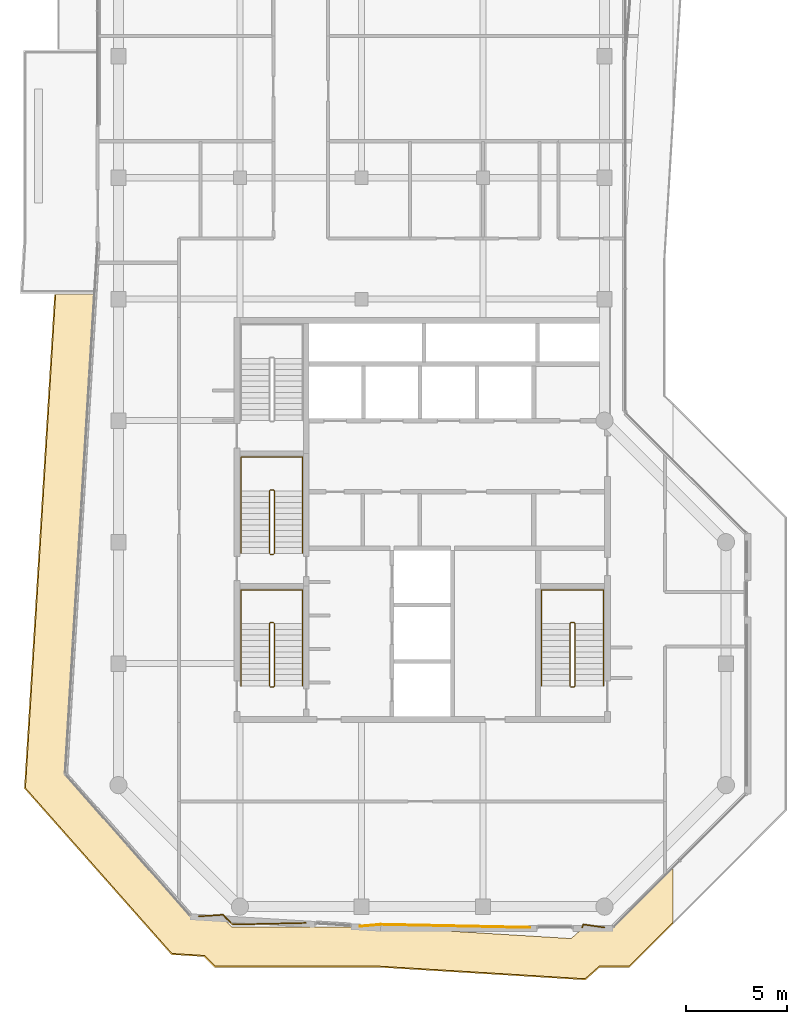
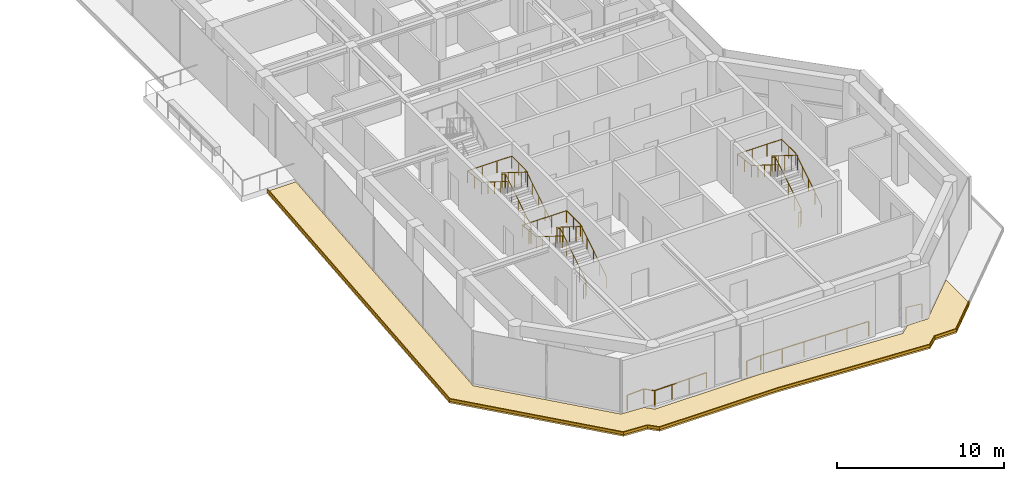
# One storey, part 17 of 18: 9 railings, 2 coverings.
"""IFC4 building model written with IfcOpenShell, lengths in metres."""

from ifc_helpers import new_model, si_unit, direction, frame, origin, origin_2d, place, context, subcontext, project, spatial, polyline, circle, outline, extrude, material, layer, layer_set, type_object, element, save


model = new_model("IFC4")

# Units and contexts
model_context = context("Model", 3, precision=1e-05, world=origin(), true_north=direction((0.0, 1.0)))
body_context = subcontext(model_context, "Body", "Model", "MODEL_VIEW")
ifc_project = project(units=[si_unit("LENGTHUNIT", "METRE"), si_unit("AREAUNIT", "SQUARE_METRE"), si_unit("VOLUMEUNIT", "CUBIC_METRE"), si_unit("PLANEANGLEUNIT", "RADIAN"), si_unit("MASSUNIT", "GRAM", prefix="KILO")], contexts=[model_context])

# Site, building, storey
site_placement = place(None, origin())
site = spatial("IfcSite", under=ifc_project, at=site_placement, CompositionType="ELEMENT")
building_placement = place(site_placement, origin())
building = spatial("IfcBuilding", under=site, at=building_placement, Name="Welwitschia Terrace Campus", CompositionType="ELEMENT")
storey_placement = place(building_placement, frame((0.0, 0.0, 272.60009765625)))
storey = spatial("IfcBuildingStorey", under=building, at=storey_placement, Name="L60", CompositionType="ELEMENT", Elevation=272.60009765625)

# Railings
ifc_material_1 = material(Name="Stainless steel grade 316", Category="steel")
railing_type_1 = type_object("IfcRailingType", Name="Guard 1100", PredefinedType="GUARDRAIL", material=ifc_material_1)
railing_1_placement = place(storey_placement, frame((9.260498046875, -4.80419921875, 0.0)))
element("IfcRailing", 1, at=railing_1_placement, inside=storey, type_object=railing_type_1, Name="Guard floor edge L60.1", PredefinedType="GUARDRAIL", context=body_context, shape_type="SweptSolid", body=[
    extrude(circle(Radius=0.02392578125, at=origin_2d()), frame((0.0, 0.0, 1.076171875), z_axis=(-0.999782120926, -0.020873683829, 0.0), x_axis=(0.020873683829, -0.999782120926, 0.0)), (0.0, 0.0, 1.0), 3.625732421875),
    extrude(circle(Radius=0.02392578125, at=origin_2d()), frame((-3.625, -0.07568359375, 1.076171875), z_axis=(-0.707287742606, 0.706925773444, 0.0), x_axis=(-0.706925773444, -0.707287742606, 0.0)), (0.0, 0.0, 1.0), 0.674560546875),
    extrude(circle(Radius=0.02392578125, at=origin_2d()), frame((-4.10205078125, 0.401123046875, 1.076171875), z_axis=(-0.9978670446, -0.065279103103, 0.0), x_axis=(0.065279103103, -0.9978670446, 0.0)), (0.0, 0.0, 1.0), 1.189208984375),
    extrude(circle(Radius=0.02099609375, at=origin_2d()), origin(), (0.0, 0.0, 1.0), 1.052001953125),
    extrude(circle(Radius=0.02099609375, at=origin_2d()), frame((-1.208251953125, -0.025146484375, 0.0)), (0.0, 0.0, 1.0), 1.052001953125),
    extrude(circle(Radius=0.02099609375, at=origin_2d()), frame((-2.416748046875, -0.050537109375, 0.0)), (0.0, 0.0, 1.0), 1.052001953125),
    extrude(circle(Radius=0.02099609375, at=origin_2d()), frame((-3.625, -0.07568359375, 0.0)), (0.0, 0.0, 1.0), 1.052001953125),
    extrude(circle(Radius=0.02099609375, at=origin_2d()), frame((-4.10205078125, 0.401123046875, 0.0)), (0.0, 0.0, 1.0), 1.052001953125),
    extrude(circle(Radius=0.02099609375, at=origin_2d()), frame((-5.288818359375, 0.323486328125, 0.0)), (0.0, 0.0, 1.0), 1.052001953125),
])
railing_2_placement = place(storey_placement, frame((20.323974609375, -5.030029296875, 0.0)))
element("IfcRailing", 2, at=railing_2_placement, inside=storey, type_object=railing_type_1, Name="Guard floor edge L60.3", PredefinedType="GUARDRAIL", context=body_context, shape_type="SweptSolid", body=[
    extrude(circle(Radius=0.02392578125, at=origin_2d()), frame((0.0, 0.0, 1.076171875), z_axis=(-0.999792397369, 0.020375528528, 0.0), x_axis=(-0.020375528528, -0.999792397369, 0.0)), (0.0, 0.0, 1.0), 7.368896484375),
    extrude(circle(Radius=0.02392578125, at=origin_2d()), frame((-7.367431640625, 0.150146484375, 1.076171875), z_axis=(-0.99626299906, -0.086371504001, 0.0), x_axis=(0.086371504001, -0.99626299906, 0.0)), (0.0, 0.0, 1.0), 1.0205078125),
    extrude(circle(Radius=0.02099609375, at=origin_2d()), origin(), (0.0, 0.0, 1.0), 1.052001953125),
    extrude(circle(Radius=0.02099609375, at=origin_2d()), frame((-1.473388671875, 0.030029296875, 0.0)), (0.0, 0.0, 1.0), 1.052001953125),
    extrude(circle(Radius=0.02099609375, at=origin_2d()), frame((-2.947021484375, 0.06005859375, 0.0)), (0.0, 0.0, 1.0), 1.052001953125),
    extrude(circle(Radius=0.02099609375, at=origin_2d()), frame((-4.42041015625, 0.090087890625, 0.0)), (0.0, 0.0, 1.0), 1.052001953125),
    extrude(circle(Radius=0.02099609375, at=origin_2d()), frame((-5.89404296875, 0.1201171875, 0.0)), (0.0, 0.0, 1.0), 1.052001953125),
    extrude(circle(Radius=0.02099609375, at=origin_2d()), frame((-7.367431640625, 0.150146484375, 0.0)), (0.0, 0.0, 1.0), 1.052001953125),
    extrude(circle(Radius=0.02099609375, at=origin_2d()), frame((-8.384033203125, 0.06201171875, 0.0)), (0.0, 0.0, 1.0), 1.052001953125),
])
railing_3_placement = place(storey_placement, frame((24.0029296875, -5.030029296875, 0.0)))
element("IfcRailing", 3, at=railing_3_placement, inside=storey, type_object=railing_type_1, Name="Guard floor edge L60.5", PredefinedType="GUARDRAIL", context=body_context, shape_type="SweptSolid", body=[
    extrude(circle(Radius=0.02392578125, at=origin_2d()), frame((0.0, 0.0, 1.076171875), z_axis=(-0.989772435078, 0.142655272457, 0.0), x_axis=(-0.142655272457, -0.989772435078, 0.0)), (0.0, 0.0, 1.0), 1.052490234375),
    extrude(circle(Radius=0.02392578125, at=origin_2d()), frame((-1.041748046875, 0.150146484375, 1.076171875), z_axis=(-0.389395688743, -0.921070571449, 0.0), x_axis=(0.921070571449, -0.389395688743, 0.0)), (0.0, 0.0, 1.0), 0.1630859375),
    extrude(circle(Radius=0.02099609375, at=origin_2d()), origin(), (0.0, 0.0, 1.0), 1.052001953125),
    extrude(circle(Radius=0.02099609375, at=origin_2d()), frame((-1.041748046875, 0.150146484375, 0.0)), (0.0, 0.0, 1.0), 1.052001953125),
    extrude(circle(Radius=0.02099609375, at=origin_2d()), frame((-1.105224609375, 0.0, 0.0)), (0.0, 0.0, 1.0), 1.052001953125),
])
ifc_material_2 = material(Name="Steel S355", Category="steel")
railing_type_2 = type_object("IfcRailingType", Name="Stair guard 1100", PredefinedType="GUARDRAIL", material=ifc_material_2)
railing_4_placement = place(storey_placement, frame((7.5, 6.85009765625, 0.0)))
element("IfcRailing", 4, at=railing_4_placement, inside=storey, type_object=railing_type_2, Name="L60 S1 stair guard", PredefinedType="GUARDRAIL", context=body_context, shape_type="SweptSolid", body=[
    extrude(circle(Radius=0.02392578125, at=origin_2d()), frame((0.0, 0.0, 1.076171875), z_axis=(1.0, 0.0, 0.0), x_axis=(0.0, 1.0, 0.0)), (0.0, 0.0, 1.0), 0.14990234375),
    extrude(circle(Radius=0.02392578125, at=origin_2d()), frame((0.14990234375, 0.0, 1.076171875), z_axis=(0.265474339444, 0.264179342666, 0.927217692888), x_axis=(-0.705375805398, 0.708833529934, 0.0)), (0.0, 0.0, 1.0), 0.1884765625),
    extrude(circle(Radius=0.02392578125, at=origin_2d()), frame((0.199951171875, 0.0498046875, 1.2509765625), z_axis=(0.0, 0.847998304005, 0.529998940003), x_axis=(-1.0, 0.0, 0.0)), (0.0, 0.0, 1.0), 3.632080078125),
    extrude(circle(Radius=0.02392578125, at=origin_2d()), frame((0.199951171875, 3.1298828125, 3.17578125), z_axis=(-0.707106781187, 0.707106781187, 0.0), x_axis=(-0.707106781187, -0.707106781187, 0.0)), (0.0, 0.0, 1.0), 0.07080078125),
    extrude(circle(Radius=0.02392578125, at=origin_2d()), frame((0.14990234375, 3.179931640625, 3.17578125), z_axis=(-1.0, 0.0, 0.0), x_axis=(0.0, -1.0, 0.0)), (0.0, 0.0, 1.0), 0.14990234375),
    extrude(circle(Radius=0.02392578125, at=origin_2d()), frame((0.0, 3.179931640625, 3.17578125), z_axis=(-0.265065253269, -0.265065253269, 0.927081885822), x_axis=(0.707106781187, -0.707106781187, 0.0)), (0.0, 0.0, 1.0), 0.188720703125),
    extrude(circle(Radius=0.02392578125, at=origin_2d()), frame((-0.050048828125, 3.1298828125, 3.35107421875), z_axis=(0.0, -0.847998304005, 0.529998940003), x_axis=(1.0, 0.0, 0.0)), (0.0, 0.0, 1.0), 3.632080078125),
    extrude(circle(Radius=0.02099609375, at=origin_2d()), origin(), (0.0, 0.0, 1.0), 1.052001953125),
    extrude(circle(Radius=0.02099609375, at=origin_2d()), frame((0.14990234375, 0.0, 0.0)), (0.0, 0.0, 1.0), 1.052001953125),
    extrude(circle(Radius=0.02099609375, at=origin_2d()), frame((0.199951171875, 0.0498046875, 0.1748046875)), (0.0, 0.0, 1.0), 1.052001953125),
    extrude(circle(Radius=0.02099609375, at=origin_2d()), frame((0.199951171875, 0.81982421875, 0.656005859375)), (0.0, 0.0, 1.0), 1.052001953125),
    extrude(circle(Radius=0.02099609375, at=origin_2d()), frame((0.199951171875, 1.58984375, 1.13720703125)), (0.0, 0.0, 1.0), 1.052001953125),
    extrude(circle(Radius=0.02099609375, at=origin_2d()), frame((0.199951171875, 2.35986328125, 1.61865234375)), (0.0, 0.0, 1.0), 1.052001953125),
    extrude(circle(Radius=0.02099609375, at=origin_2d()), frame((0.199951171875, 3.1298828125, 2.099853515625)), (0.0, 0.0, 1.0), 1.052001953125),
    extrude(circle(Radius=0.02099609375, at=origin_2d()), frame((0.14990234375, 3.179931640625, 2.099853515625)), (0.0, 0.0, 1.0), 1.052001953125),
    extrude(circle(Radius=0.02099609375, at=origin_2d()), frame((0.0, 3.179931640625, 2.099853515625)), (0.0, 0.0, 1.0), 1.052001953125),
    extrude(circle(Radius=0.02099609375, at=origin_2d()), frame((-0.050048828125, 3.1298828125, 2.27490234375)), (0.0, 0.0, 1.0), 1.052001953125),
    extrude(circle(Radius=0.02099609375, at=origin_2d()), frame((-0.050048828125, 2.35986328125, 2.756103515625)), (0.0, 0.0, 1.0), 1.052001953125),
    extrude(circle(Radius=0.02099609375, at=origin_2d()), frame((-0.050048828125, 1.58984375, 3.2373046875)), (0.0, 0.0, 1.0), 1.052001953125),
    extrude(circle(Radius=0.02099609375, at=origin_2d()), frame((-0.050048828125, 0.81982421875, 3.71875)), (0.0, 0.0, 1.0), 1.052001953125),
    extrude(circle(Radius=0.02099609375, at=origin_2d()), frame((-0.050048828125, 0.0498046875, 4.199951171875)), (0.0, 0.0, 1.0), 1.052001953125),
])
railing_5_placement = place(storey_placement, frame((7.5, 13.39990234375, 0.0)))
element("IfcRailing", 5, at=railing_5_placement, inside=storey, type_object=railing_type_2, Name="L60 S3 stair guard", PredefinedType="GUARDRAIL", context=body_context, shape_type="SweptSolid", body=[
    extrude(circle(Radius=0.02392578125, at=origin_2d()), frame((0.0, 0.0, 1.076171875), z_axis=(1.0, 0.0, 0.0), x_axis=(0.0, 1.0, 0.0)), (0.0, 0.0, 1.0), 0.14990234375),
    extrude(circle(Radius=0.02392578125, at=origin_2d()), frame((0.14990234375, 0.0, 1.076171875), z_axis=(0.265383341853, 0.265383341853, 0.926899867156), x_axis=(-0.707106781187, 0.707106781187, 0.0)), (0.0, 0.0, 1.0), 0.1884765625),
    extrude(circle(Radius=0.02392578125, at=origin_2d()), frame((0.199951171875, 0.050048828125, 1.2509765625), z_axis=(0.0, 0.847998304005, 0.529998940003), x_axis=(-1.0, 0.0, 0.0)), (0.0, 0.0, 1.0), 3.632080078125),
    extrude(circle(Radius=0.02392578125, at=origin_2d()), frame((0.199951171875, 3.130126953125, 3.17578125), z_axis=(-0.707106781187, 0.707106781187, 0.0), x_axis=(-0.707106781187, -0.707106781187, 0.0)), (0.0, 0.0, 1.0), 0.07080078125),
    extrude(circle(Radius=0.02392578125, at=origin_2d()), frame((0.14990234375, 3.18017578125, 3.17578125), z_axis=(-1.0, 0.0, 0.0), x_axis=(0.0, -1.0, 0.0)), (0.0, 0.0, 1.0), 0.14990234375),
    extrude(circle(Radius=0.02392578125, at=origin_2d()), frame((0.0, 3.18017578125, 3.17578125), z_axis=(-0.265065253269, -0.265065253269, 0.927081885822), x_axis=(0.707106781187, -0.707106781187, 0.0)), (0.0, 0.0, 1.0), 0.188720703125),
    extrude(circle(Radius=0.02392578125, at=origin_2d()), frame((-0.050048828125, 3.130126953125, 3.35107421875), z_axis=(0.0, -0.847998304005, 0.529998940003), x_axis=(1.0, 0.0, 0.0)), (0.0, 0.0, 1.0), 3.632080078125),
    extrude(circle(Radius=0.02099609375, at=origin_2d()), origin(), (0.0, 0.0, 1.0), 1.052001953125),
    extrude(circle(Radius=0.02099609375, at=origin_2d()), frame((0.14990234375, 0.0, 0.0)), (0.0, 0.0, 1.0), 1.052001953125),
    extrude(circle(Radius=0.02099609375, at=origin_2d()), frame((0.199951171875, 0.050048828125, 0.1748046875)), (0.0, 0.0, 1.0), 1.052001953125),
    extrude(circle(Radius=0.02099609375, at=origin_2d()), frame((0.199951171875, 0.820068359375, 0.656005859375)), (0.0, 0.0, 1.0), 1.052001953125),
    extrude(circle(Radius=0.02099609375, at=origin_2d()), frame((0.199951171875, 1.590087890625, 1.13720703125)), (0.0, 0.0, 1.0), 1.052001953125),
    extrude(circle(Radius=0.02099609375, at=origin_2d()), frame((0.199951171875, 2.360107421875, 1.61865234375)), (0.0, 0.0, 1.0), 1.052001953125),
    extrude(circle(Radius=0.02099609375, at=origin_2d()), frame((0.199951171875, 3.130126953125, 2.099853515625)), (0.0, 0.0, 1.0), 1.052001953125),
    extrude(circle(Radius=0.02099609375, at=origin_2d()), frame((0.14990234375, 3.18017578125, 2.099853515625)), (0.0, 0.0, 1.0), 1.052001953125),
    extrude(circle(Radius=0.02099609375, at=origin_2d()), frame((0.0, 3.18017578125, 2.099853515625)), (0.0, 0.0, 1.0), 1.052001953125),
    extrude(circle(Radius=0.02099609375, at=origin_2d()), frame((-0.050048828125, 3.130126953125, 2.27490234375)), (0.0, 0.0, 1.0), 1.052001953125),
    extrude(circle(Radius=0.02099609375, at=origin_2d()), frame((-0.050048828125, 2.360107421875, 2.756103515625)), (0.0, 0.0, 1.0), 1.052001953125),
    extrude(circle(Radius=0.02099609375, at=origin_2d()), frame((-0.050048828125, 1.590087890625, 3.2373046875)), (0.0, 0.0, 1.0), 1.052001953125),
    extrude(circle(Radius=0.02099609375, at=origin_2d()), frame((-0.050048828125, 0.820068359375, 3.71875)), (0.0, 0.0, 1.0), 1.052001953125),
    extrude(circle(Radius=0.02099609375, at=origin_2d()), frame((-0.050048828125, 0.050048828125, 4.199951171875)), (0.0, 0.0, 1.0), 1.052001953125),
])
railing_6_placement = place(storey_placement, frame((22.35009765625, 6.85009765625, 0.0)))
element("IfcRailing", 6, at=railing_6_placement, inside=storey, type_object=railing_type_2, Name="L60 S2 stair guard", PredefinedType="GUARDRAIL", context=body_context, shape_type="SweptSolid", body=[
    extrude(circle(Radius=0.02392578125, at=origin_2d()), frame((0.0, 0.0, 1.076171875), z_axis=(1.0, 0.0, 0.0), x_axis=(0.0, 1.0, 0.0)), (0.0, 0.0, 1.0), 0.14990234375),
    extrude(circle(Radius=0.02392578125, at=origin_2d()), frame((0.14990234375, 0.0, 1.076171875), z_axis=(0.265474339444, 0.264179342666, 0.927217692888), x_axis=(-0.705375805398, 0.708833529934, 0.0)), (0.0, 0.0, 1.0), 0.1884765625),
    extrude(circle(Radius=0.02392578125, at=origin_2d()), frame((0.199951171875, 0.0498046875, 1.2509765625), z_axis=(0.0, 0.847998304005, 0.529998940003), x_axis=(-1.0, 0.0, 0.0)), (0.0, 0.0, 1.0), 3.632080078125),
    extrude(circle(Radius=0.02392578125, at=origin_2d()), frame((0.199951171875, 3.1298828125, 3.17578125), z_axis=(-0.707106781187, 0.707106781187, 0.0), x_axis=(-0.707106781187, -0.707106781187, 0.0)), (0.0, 0.0, 1.0), 0.07080078125),
    extrude(circle(Radius=0.02392578125, at=origin_2d()), frame((0.14990234375, 3.179931640625, 3.17578125), z_axis=(-1.0, 0.0, 0.0), x_axis=(0.0, -1.0, 0.0)), (0.0, 0.0, 1.0), 0.14990234375),
    extrude(circle(Radius=0.02392578125, at=origin_2d()), frame((0.0, 3.179931640625, 3.17578125), z_axis=(-0.265065253269, -0.265065253269, 0.927081885822), x_axis=(0.707106781187, -0.707106781187, 0.0)), (0.0, 0.0, 1.0), 0.188720703125),
    extrude(circle(Radius=0.02392578125, at=origin_2d()), frame((-0.050048828125, 3.1298828125, 3.35107421875), z_axis=(0.0, -0.847998304005, 0.529998940003), x_axis=(1.0, 0.0, 0.0)), (0.0, 0.0, 1.0), 3.632080078125),
    extrude(circle(Radius=0.02099609375, at=origin_2d()), origin(), (0.0, 0.0, 1.0), 1.052001953125),
    extrude(circle(Radius=0.02099609375, at=origin_2d()), frame((0.14990234375, 0.0, 0.0)), (0.0, 0.0, 1.0), 1.052001953125),
    extrude(circle(Radius=0.02099609375, at=origin_2d()), frame((0.199951171875, 0.0498046875, 0.1748046875)), (0.0, 0.0, 1.0), 1.052001953125),
    extrude(circle(Radius=0.02099609375, at=origin_2d()), frame((0.199951171875, 0.81982421875, 0.656005859375)), (0.0, 0.0, 1.0), 1.052001953125),
    extrude(circle(Radius=0.02099609375, at=origin_2d()), frame((0.199951171875, 1.58984375, 1.13720703125)), (0.0, 0.0, 1.0), 1.052001953125),
    extrude(circle(Radius=0.02099609375, at=origin_2d()), frame((0.199951171875, 2.35986328125, 1.61865234375)), (0.0, 0.0, 1.0), 1.052001953125),
    extrude(circle(Radius=0.02099609375, at=origin_2d()), frame((0.199951171875, 3.1298828125, 2.099853515625)), (0.0, 0.0, 1.0), 1.052001953125),
    extrude(circle(Radius=0.02099609375, at=origin_2d()), frame((0.14990234375, 3.179931640625, 2.099853515625)), (0.0, 0.0, 1.0), 1.052001953125),
    extrude(circle(Radius=0.02099609375, at=origin_2d()), frame((0.0, 3.179931640625, 2.099853515625)), (0.0, 0.0, 1.0), 1.052001953125),
    extrude(circle(Radius=0.02099609375, at=origin_2d()), frame((-0.050048828125, 3.1298828125, 2.27490234375)), (0.0, 0.0, 1.0), 1.052001953125),
    extrude(circle(Radius=0.02099609375, at=origin_2d()), frame((-0.050048828125, 2.35986328125, 2.756103515625)), (0.0, 0.0, 1.0), 1.052001953125),
    extrude(circle(Radius=0.02099609375, at=origin_2d()), frame((-0.050048828125, 1.58984375, 3.2373046875)), (0.0, 0.0, 1.0), 1.052001953125),
    extrude(circle(Radius=0.02099609375, at=origin_2d()), frame((-0.050048828125, 0.81982421875, 3.71875)), (0.0, 0.0, 1.0), 1.052001953125),
    extrude(circle(Radius=0.02099609375, at=origin_2d()), frame((-0.050048828125, 0.0498046875, 4.199951171875)), (0.0, 0.0, 1.0), 1.052001953125),
])
ifc_material_3 = material(Name="Steel S355", Category="steel")
railing_type_3 = type_object("IfcRailingType", Name="Stair handrail 900", PredefinedType="HANDRAIL", material=ifc_material_3)
railing_7_placement = place(storey_placement, frame((9.10009765625, 6.89990234375, 0.1748046875)))
element("IfcRailing", 7, at=railing_7_placement, inside=storey, type_object=railing_type_3, Name="L60 S1 stair handrail", PredefinedType="HANDRAIL", context=body_context, shape_type="SweptSolid", body=[
    extrude(circle(Radius=0.02392578125, at=origin_2d()), frame((0.0, 0.0, 0.8759765625), z_axis=(0.0, 0.847998304005, 0.529998940003), x_axis=(-1.0, 0.0, 0.0)), (0.0, 0.0, 1.0), 3.632080078125),
    extrude(circle(Radius=0.02392578125, at=origin_2d()), frame((0.0, 3.080078125, 2.80078125), z_axis=(0.0, 1.0, 0.0), x_axis=(-1.0, 0.0, 0.0)), (0.0, 0.0, 1.0), 1.669921875),
    extrude(circle(Radius=0.02392578125, at=origin_2d()), frame((0.0, 4.75, 2.80078125), z_axis=(-1.0, 0.0, 0.0), x_axis=(0.0, -1.0, 0.0)), (0.0, 0.0, 1.0), 3.050048828125),
    extrude(circle(Radius=0.02392578125, at=origin_2d()), frame((-3.050048828125, 4.75, 2.80078125), z_axis=(0.0, -0.99455077262, 0.104253348533), x_axis=(1.0, 0.0, 0.0)), (0.0, 0.0, 1.0), 1.678955078125),
    extrude(circle(Radius=0.02392578125, at=origin_2d()), frame((-3.050048828125, 3.080078125, 2.97607421875), z_axis=(0.0, -0.847998304005, 0.529998940003), x_axis=(1.0, 0.0, 0.0)), (0.0, 0.0, 1.0), 3.632080078125),
    extrude(circle(Radius=0.02099609375, at=origin_2d()), origin(), (0.0, 0.0, 1.0), 0.851806640625),
    extrude(circle(Radius=0.02099609375, at=origin_2d()), frame((0.0, 0.77001953125, 0.481201171875)), (0.0, 0.0, 1.0), 0.851806640625),
    extrude(circle(Radius=0.02099609375, at=origin_2d()), frame((0.0, 1.5400390625, 0.96240234375)), (0.0, 0.0, 1.0), 0.851806640625),
    extrude(circle(Radius=0.02099609375, at=origin_2d()), frame((0.0, 2.31005859375, 1.44384765625)), (0.0, 0.0, 1.0), 0.851806640625),
    extrude(circle(Radius=0.02099609375, at=origin_2d()), frame((0.0, 3.080078125, 1.925048828125)), (0.0, 0.0, 1.0), 0.851806640625),
    extrude(circle(Radius=0.02099609375, at=origin_2d()), frame((0.0, 3.9150390625, 1.925048828125)), (0.0, 0.0, 1.0), 0.851806640625),
    extrude(circle(Radius=0.02099609375, at=origin_2d()), frame((0.0, 4.75, 1.925048828125)), (0.0, 0.0, 1.0), 0.851806640625),
    extrude(circle(Radius=0.02099609375, at=origin_2d()), frame((-1.0166015625, 4.75, 1.925048828125)), (0.0, 0.0, 1.0), 0.851806640625),
    extrude(circle(Radius=0.02099609375, at=origin_2d()), frame((-2.033447265625, 4.75, 1.925048828125)), (0.0, 0.0, 1.0), 0.851806640625),
    extrude(circle(Radius=0.02099609375, at=origin_2d()), frame((-3.050048828125, 4.75, 1.925048828125)), (0.0, 0.0, 1.0), 0.851806640625),
    extrude(circle(Radius=0.02099609375, at=origin_2d()), frame((-3.050048828125, 3.9150390625, 2.0126953125)), (0.0, 0.0, 1.0), 0.851806640625),
    extrude(circle(Radius=0.02099609375, at=origin_2d()), frame((-3.050048828125, 3.080078125, 2.10009765625)), (0.0, 0.0, 1.0), 0.851806640625),
    extrude(circle(Radius=0.02099609375, at=origin_2d()), frame((-3.050048828125, 2.31005859375, 2.581298828125)), (0.0, 0.0, 1.0), 0.851806640625),
    extrude(circle(Radius=0.02099609375, at=origin_2d()), frame((-3.050048828125, 1.5400390625, 3.0625)), (0.0, 0.0, 1.0), 0.851806640625),
    extrude(circle(Radius=0.02099609375, at=origin_2d()), frame((-3.050048828125, 0.77001953125, 3.5439453125)), (0.0, 0.0, 1.0), 0.851806640625),
    extrude(circle(Radius=0.02099609375, at=origin_2d()), frame((-3.050048828125, 0.0, 4.025146484375)), (0.0, 0.0, 1.0), 0.851806640625),
])
railing_8_placement = place(storey_placement, frame((9.10009765625, 13.449951171875, 0.1748046875)))
element("IfcRailing", 8, at=railing_8_placement, inside=storey, type_object=railing_type_3, Name="L60 S3 stair handrail", PredefinedType="HANDRAIL", context=body_context, shape_type="SweptSolid", body=[
    extrude(circle(Radius=0.02392578125, at=origin_2d()), frame((0.0, 0.0, 0.8759765625), z_axis=(0.0, 0.847998304005, 0.529998940003), x_axis=(-1.0, 0.0, 0.0)), (0.0, 0.0, 1.0), 3.632080078125),
    extrude(circle(Radius=0.02392578125, at=origin_2d()), frame((0.0, 3.080078125, 2.80078125), z_axis=(0.0, 1.0, 0.0), x_axis=(-1.0, 0.0, 0.0)), (0.0, 0.0, 1.0), 1.669921875),
    extrude(circle(Radius=0.02392578125, at=origin_2d()), frame((0.0, 4.75, 2.80078125), z_axis=(-1.0, 0.0, 0.0), x_axis=(0.0, -1.0, 0.0)), (0.0, 0.0, 1.0), 3.050048828125),
    extrude(circle(Radius=0.02392578125, at=origin_2d()), frame((-3.050048828125, 4.75, 2.80078125), z_axis=(0.0, -0.99455077262, 0.104253348533), x_axis=(1.0, 0.0, 0.0)), (0.0, 0.0, 1.0), 1.678955078125),
    extrude(circle(Radius=0.02392578125, at=origin_2d()), frame((-3.050048828125, 3.080078125, 2.97607421875), z_axis=(0.0, -0.847998304005, 0.529998940003), x_axis=(1.0, 0.0, 0.0)), (0.0, 0.0, 1.0), 3.632080078125),
    extrude(circle(Radius=0.02099609375, at=origin_2d()), origin(), (0.0, 0.0, 1.0), 0.851806640625),
    extrude(circle(Radius=0.02099609375, at=origin_2d()), frame((0.0, 0.77001953125, 0.481201171875)), (0.0, 0.0, 1.0), 0.851806640625),
    extrude(circle(Radius=0.02099609375, at=origin_2d()), frame((0.0, 1.5400390625, 0.96240234375)), (0.0, 0.0, 1.0), 0.851806640625),
    extrude(circle(Radius=0.02099609375, at=origin_2d()), frame((0.0, 2.31005859375, 1.44384765625)), (0.0, 0.0, 1.0), 0.851806640625),
    extrude(circle(Radius=0.02099609375, at=origin_2d()), frame((0.0, 3.080078125, 1.925048828125)), (0.0, 0.0, 1.0), 0.851806640625),
    extrude(circle(Radius=0.02099609375, at=origin_2d()), frame((0.0, 3.9150390625, 1.925048828125)), (0.0, 0.0, 1.0), 0.851806640625),
    extrude(circle(Radius=0.02099609375, at=origin_2d()), frame((0.0, 4.75, 1.925048828125)), (0.0, 0.0, 1.0), 0.851806640625),
    extrude(circle(Radius=0.02099609375, at=origin_2d()), frame((-1.0166015625, 4.75, 1.925048828125)), (0.0, 0.0, 1.0), 0.851806640625),
    extrude(circle(Radius=0.02099609375, at=origin_2d()), frame((-2.033447265625, 4.75, 1.925048828125)), (0.0, 0.0, 1.0), 0.851806640625),
    extrude(circle(Radius=0.02099609375, at=origin_2d()), frame((-3.050048828125, 4.75, 1.925048828125)), (0.0, 0.0, 1.0), 0.851806640625),
    extrude(circle(Radius=0.02099609375, at=origin_2d()), frame((-3.050048828125, 3.9150390625, 2.0126953125)), (0.0, 0.0, 1.0), 0.851806640625),
    extrude(circle(Radius=0.02099609375, at=origin_2d()), frame((-3.050048828125, 3.080078125, 2.10009765625)), (0.0, 0.0, 1.0), 0.851806640625),
    extrude(circle(Radius=0.02099609375, at=origin_2d()), frame((-3.050048828125, 2.31005859375, 2.581298828125)), (0.0, 0.0, 1.0), 0.851806640625),
    extrude(circle(Radius=0.02099609375, at=origin_2d()), frame((-3.050048828125, 1.5400390625, 3.0625)), (0.0, 0.0, 1.0), 0.851806640625),
    extrude(circle(Radius=0.02099609375, at=origin_2d()), frame((-3.050048828125, 0.77001953125, 3.5439453125)), (0.0, 0.0, 1.0), 0.851806640625),
    extrude(circle(Radius=0.02099609375, at=origin_2d()), frame((-3.050048828125, 0.0, 4.025146484375)), (0.0, 0.0, 1.0), 0.851806640625),
])
railing_9_placement = place(storey_placement, frame((23.949951171875, 6.89990234375, 0.1748046875)))
element("IfcRailing", 9, at=railing_9_placement, inside=storey, type_object=railing_type_3, Name="L60 S2 stair handrail", PredefinedType="HANDRAIL", context=body_context, shape_type="SweptSolid", body=[
    extrude(circle(Radius=0.02392578125, at=origin_2d()), frame((0.0, 0.0, 0.8759765625), z_axis=(0.0, 0.847998304005, 0.529998940003), x_axis=(-1.0, 0.0, 0.0)), (0.0, 0.0, 1.0), 3.632080078125),
    extrude(circle(Radius=0.02392578125, at=origin_2d()), frame((0.0, 3.080078125, 2.80078125), z_axis=(0.0, 1.0, 0.0), x_axis=(-1.0, 0.0, 0.0)), (0.0, 0.0, 1.0), 1.669921875),
    extrude(circle(Radius=0.02392578125, at=origin_2d()), frame((0.0, 4.75, 2.80078125), z_axis=(-1.0, 0.0, 0.0), x_axis=(0.0, -1.0, 0.0)), (0.0, 0.0, 1.0), 3.050048828125),
    extrude(circle(Radius=0.02392578125, at=origin_2d()), frame((-3.050048828125, 4.75, 2.80078125), z_axis=(0.0, -0.99455077262, 0.104253348533), x_axis=(1.0, 0.0, 0.0)), (0.0, 0.0, 1.0), 1.678955078125),
    extrude(circle(Radius=0.02392578125, at=origin_2d()), frame((-3.050048828125, 3.080078125, 2.97607421875), z_axis=(0.0, -0.847998304005, 0.529998940003), x_axis=(1.0, 0.0, 0.0)), (0.0, 0.0, 1.0), 3.632080078125),
    extrude(circle(Radius=0.02099609375, at=origin_2d()), origin(), (0.0, 0.0, 1.0), 0.851806640625),
    extrude(circle(Radius=0.02099609375, at=origin_2d()), frame((0.0, 0.77001953125, 0.481201171875)), (0.0, 0.0, 1.0), 0.851806640625),
    extrude(circle(Radius=0.02099609375, at=origin_2d()), frame((0.0, 1.5400390625, 0.96240234375)), (0.0, 0.0, 1.0), 0.851806640625),
    extrude(circle(Radius=0.02099609375, at=origin_2d()), frame((0.0, 2.31005859375, 1.44384765625)), (0.0, 0.0, 1.0), 0.851806640625),
    extrude(circle(Radius=0.02099609375, at=origin_2d()), frame((0.0, 3.080078125, 1.925048828125)), (0.0, 0.0, 1.0), 0.851806640625),
    extrude(circle(Radius=0.02099609375, at=origin_2d()), frame((0.0, 3.9150390625, 1.925048828125)), (0.0, 0.0, 1.0), 0.851806640625),
    extrude(circle(Radius=0.02099609375, at=origin_2d()), frame((0.0, 4.75, 1.925048828125)), (0.0, 0.0, 1.0), 0.851806640625),
    extrude(circle(Radius=0.02099609375, at=origin_2d()), frame((-1.0166015625, 4.75, 1.925048828125)), (0.0, 0.0, 1.0), 0.851806640625),
    extrude(circle(Radius=0.02099609375, at=origin_2d()), frame((-2.033447265625, 4.75, 1.925048828125)), (0.0, 0.0, 1.0), 0.851806640625),
    extrude(circle(Radius=0.02099609375, at=origin_2d()), frame((-3.050048828125, 4.75, 1.925048828125)), (0.0, 0.0, 1.0), 0.851806640625),
    extrude(circle(Radius=0.02099609375, at=origin_2d()), frame((-3.050048828125, 3.9150390625, 2.0126953125)), (0.0, 0.0, 1.0), 0.851806640625),
    extrude(circle(Radius=0.02099609375, at=origin_2d()), frame((-3.050048828125, 3.080078125, 2.10009765625)), (0.0, 0.0, 1.0), 0.851806640625),
    extrude(circle(Radius=0.02099609375, at=origin_2d()), frame((-3.050048828125, 2.31005859375, 2.581298828125)), (0.0, 0.0, 1.0), 0.851806640625),
    extrude(circle(Radius=0.02099609375, at=origin_2d()), frame((-3.050048828125, 1.5400390625, 3.0625)), (0.0, 0.0, 1.0), 0.851806640625),
    extrude(circle(Radius=0.02099609375, at=origin_2d()), frame((-3.050048828125, 0.77001953125, 3.5439453125)), (0.0, 0.0, 1.0), 0.851806640625),
    extrude(circle(Radius=0.02099609375, at=origin_2d()), frame((-3.050048828125, 0.0, 4.025146484375)), (0.0, 0.0, 1.0), 0.851806640625),
])

# Coverings
ifc_material_4 = material(Name="Bronze anodised aluminium", Category="aluminium")
ifc_layer_1 = layer(ifc_material_4, 0.1201171875)
ifc_layer_set_1 = layer_set([ifc_layer_1], Name="Bronze anodised aluminium")
covering_type_1 = type_object("IfcCoveringType", Name="Sunshade band 2000", PredefinedType="USERDEFINED", material=ifc_layer_set_1)
covering_1_placement = place(storey_placement, frame((0.0, 0.0, -0.300048828125)))
element("IfcCovering", 10, at=covering_1_placement, inside=storey, type_object=covering_type_1, Name="SUNSHADE L60.SW1", ObjectType="SUNSHADE", PredefinedType="USERDEFINED", context=body_context, shape_type="SweptSolid", body=[
    extrude(outline(polyline([(25.24267578125, -7.0), (23.764404296875, -7.0), (23.061279296875, -7.6220703125), (12.891845703125, -7.0), (4.75732421875, -7.0), (4.227294921875, -6.47021484375), (2.6142578125, -6.371337890625), (-4.6552734375, 1.84521484375), (-3.162841796875, 26.242919921875), (-1.1591796875, 26.242919921875), (-2.6083984375, 2.5498046875), (3.56298828125, -4.42578125), (5.105712890625, -4.52001953125), (5.585693359375, -5.0), (12.952880859375, -5.0), (22.3564453125, -5.5751953125), (23.006591796875, -5.0), (24.414306640625, -5.0), (27.3916015625, -2.0224609375), (27.3916015625, -4.85107421875), (25.24267578125, -7.0)])), origin(), (0.0, 0.0, 1.0), 0.119873046875),
])
ifc_material_5 = material(Name="Bronze anodised aluminium", Category="aluminium")
ifc_layer_2 = layer(ifc_material_5, 0.06005859375)
ifc_layer_set_2 = layer_set([ifc_layer_2], Name="Bronze anodised aluminium")
covering_type_2 = type_object("IfcCoveringType", Name="Sunshade lip 60", PredefinedType="USERDEFINED", material=ifc_layer_set_2)
covering_2_placement = place(storey_placement, frame((0.0, 0.0, -0.18017578125)))
element("IfcCovering", 11, at=covering_2_placement, inside=storey, type_object=covering_type_2, Name="SUNSHADE LIP L60.SW1.0", ObjectType="SUNSHADE", PredefinedType="USERDEFINED", context=body_context, shape_type="SweptSolid", body=[
    extrude(outline(polyline([(23.764404296875, -7.0), (23.061279296875, -7.6220703125), (12.891845703125, -7.0), (4.75732421875, -7.0), (4.227294921875, -6.47021484375), (2.6142578125, -6.371337890625), (-4.6552734375, 1.84521484375), (-3.162841796875, 26.242919921875), (-3.102783203125, 26.242919921875), (-4.59375, 1.8662109375), (2.642578125, -6.31298828125), (4.25390625, -6.41162109375), (4.7822265625, -6.93994140625), (12.8935546875, -6.93994140625), (23.0400390625, -7.560546875), (23.741455078125, -6.93994140625), (25.2177734375, -6.93994140625), (27.3916015625, -4.76611328125), (27.3916015625, -4.85107421875), (25.24267578125, -7.0), (23.764404296875, -7.0)])), origin(), (0.0, 0.0, 1.0), 0.18017578125),
])

save(model, "model.ifc")
